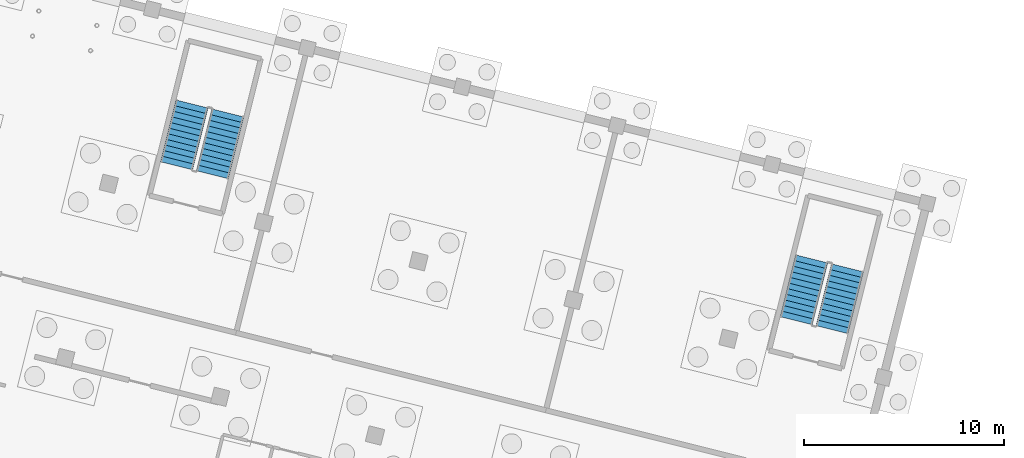
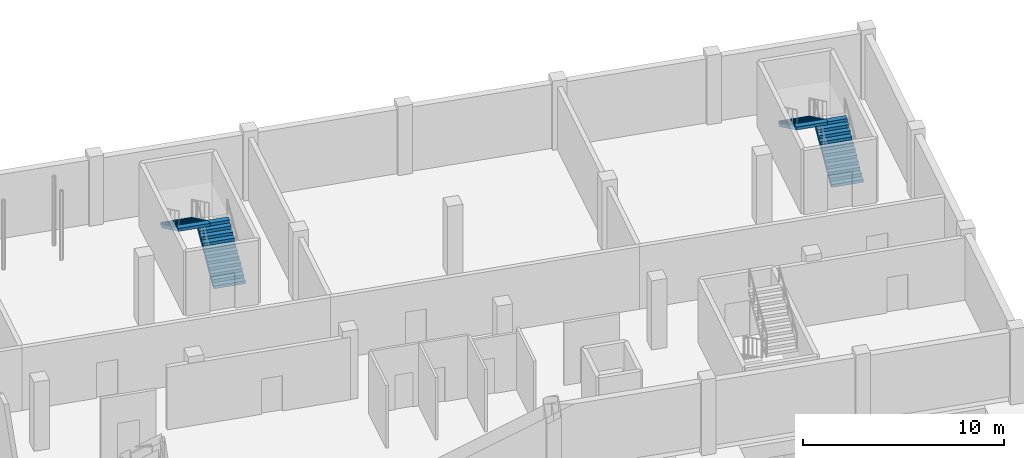
# One storey, part 27 of 36: 4 stair flights, 2 elements without a shape of their own.
"""IFC4 building model written with IfcOpenShell, lengths in metres."""

from ifc_helpers import new_model, si_unit, derived_unit, direction, frame, origin, place, context, subcontext, project, spatial, polyline, outline, extrude, material, type_object, element, aggregate, save


model = new_model("IFC4")

# Units and contexts
model_context = context("Model", 3, precision=1e-05, world=origin(), true_north=direction((0.0, 1.0)))
body_context = subcontext(model_context, "Body", "Model", "MODEL_VIEW")
ifc_project = project(units=[si_unit("LENGTHUNIT", "METRE"), si_unit("AREAUNIT", "SQUARE_METRE"), si_unit("VOLUMEUNIT", "CUBIC_METRE"), si_unit("PLANEANGLEUNIT", "RADIAN"), si_unit("MASSUNIT", "GRAM", prefix="KILO"), si_unit("THERMODYNAMICTEMPERATUREUNIT", "KELVIN"), si_unit("TIMEUNIT", "SECOND"), derived_unit("THERMALTRANSMITTANCEUNIT", [(si_unit("MASSUNIT", "GRAM", prefix="KILO"), 1), (si_unit("THERMODYNAMICTEMPERATUREUNIT", "KELVIN"), -1), (si_unit("TIMEUNIT", "SECOND"), -3)])], contexts=[model_context])

# Site, building, storey
site_placement = place(None, origin())
site = spatial("IfcSite", under=ifc_project, at=site_placement, CompositionType="ELEMENT")
building_placement = place(site_placement, origin())
building = spatial("IfcBuilding", under=site, at=building_placement, Name="Cambertide Market Hall", CompositionType="ELEMENT")
storey_placement = place(building_placement, frame((0.0, 0.0, -4.199951171875)))
storey = spatial("IfcBuildingStorey", under=building, at=storey_placement, Name="B1", CompositionType="ELEMENT", Elevation=-4.199951171875)

# Stair, stair flights
ifc_material_1 = material(Name="Concrete B35", Category="concrete")
stair_type_1 = type_object("IfcStairType", Name="Concrete Dogleg Stair ST-07B", PredefinedType="HALF_TURN_STAIR", material=ifc_material_1)
stair_1_placement = place(storey_placement, origin())
stair_1 = element("IfcStair", 1, at=stair_1_placement, inside=storey, type_object=stair_type_1, Name="Basement 1 Exit Stair Core 07B", PredefinedType="HALF_TURN_STAIR")
ifc_material_2 = material(Name="Concrete B35", Category="concrete")
stair_flight_type_1 = type_object("IfcStairFlightType", Name="Concrete Stair Flight ST-07B", PredefinedType="STRAIGHT", material=ifc_material_2)
stair_flight_1_placement = place(storey_placement, frame((140.83935546875, 112.096435546875, 0.0), z_axis=(0.0, 0.0, 1.0), x_axis=(0.242535617113, 0.970142502126, 0.0)))
stair_flight_1 = element("IfcStairFlight", 2, at=stair_flight_1_placement, type_object=stair_flight_type_1, Name="ST-07B flight 1", NumberOfRisers=12, NumberOfTreads=11, PredefinedType="STRAIGHT", RiserHeight=0.175, TreadLength=0.29, context=body_context, shape_type="SweptSolid", body=[
    extrude(outline(polyline([(0.0, 0.0), (0.0, 0.175048828125), (0.2900390625, 0.175048828125), (0.2900390625, 0.35009765625), (0.580078125, 0.35009765625), (0.580078125, 0.52490234375), (0.8701171875, 0.52490234375), (0.8701171875, 0.699951171875), (1.159912109375, 0.699951171875), (1.159912109375, 0.875), (1.449951171875, 0.875), (1.449951171875, 1.050048828125), (1.739990234375, 1.050048828125), (1.739990234375, 1.22509765625), (2.030029296875, 1.22509765625), (2.030029296875, 1.39990234375), (2.320068359375, 1.39990234375), (2.320068359375, 1.574951171875), (2.610107421875, 1.574951171875), (2.610107421875, 1.75), (2.89990234375, 1.75), (2.89990234375, 1.925048828125), (3.18994140625, 1.925048828125), (3.18994140625, 2.10009765625), (3.18994140625, 1.75), (0.2900390625, 0.0), (0.0, 0.0)])), frame((0.0, 0.824951171875, 0.0), z_axis=(0.0, -1.0, 0.0), x_axis=(1.0, 0.0, 0.0)), (0.0, 0.0, 1.0), 1.64990234375),
])
stair_flight_2_placement = place(storey_placement, frame((139.818359375, 115.639892578125, 2.099853515625), z_axis=(0.0, 0.0, 1.0), x_axis=(-0.242535617113, -0.970142502126, 0.0)))
stair_flight_2 = element("IfcStairFlight", 3, at=stair_flight_2_placement, type_object=stair_flight_type_1, Name="ST-07B flight 2", NumberOfRisers=12, NumberOfTreads=11, PredefinedType="STRAIGHT", RiserHeight=0.175, TreadLength=0.29, context=body_context, shape_type="SweptSolid", body=[
    extrude(outline(polyline([(0.0, 0.0), (0.0, 0.175048828125), (0.2900390625, 0.175048828125), (0.2900390625, 0.35009765625), (0.580078125, 0.35009765625), (0.580078125, 0.52490234375), (0.8701171875, 0.52490234375), (0.8701171875, 0.699951171875), (1.159912109375, 0.699951171875), (1.159912109375, 0.875), (1.449951171875, 0.875), (1.449951171875, 1.050048828125), (1.739990234375, 1.050048828125), (1.739990234375, 1.22509765625), (2.030029296875, 1.22509765625), (2.030029296875, 1.39990234375), (2.320068359375, 1.39990234375), (2.320068359375, 1.574951171875), (2.610107421875, 1.574951171875), (2.610107421875, 1.75), (2.89990234375, 1.75), (2.89990234375, 1.925048828125), (3.18994140625, 1.925048828125), (3.18994140625, 2.10009765625), (3.18994140625, 1.75), (0.2900390625, 0.0), (0.0, 0.0)])), frame((0.0, 0.824951171875, 0.0), z_axis=(0.0, -1.0, 0.0), x_axis=(1.0, 0.0, 0.0)), (0.0, 0.0, 1.0), 1.64990234375),
])
aggregate(stair_1, [stair_flight_1, stair_flight_2])

ifc_material_3 = material(Name="Concrete B35", Category="concrete")
stair_type_2 = type_object("IfcStairType", Name="Concrete Dogleg Stair ST-08B", PredefinedType="HALF_TURN_STAIR", material=ifc_material_3)
stair_2_placement = place(storey_placement, origin())
stair_2 = element("IfcStair", 4, at=stair_2_placement, inside=storey, type_object=stair_type_2, Name="Basement 1 Exit Stair Core 08B", PredefinedType="HALF_TURN_STAIR")
ifc_material_4 = material(Name="Concrete B35", Category="concrete")
stair_flight_type_2 = type_object("IfcStairFlightType", Name="Concrete Stair Flight ST-08B", PredefinedType="STRAIGHT", material=ifc_material_4)
stair_flight_3_placement = place(storey_placement, frame((171.8837890625, 104.335205078125, 0.0), z_axis=(0.0, 0.0, 1.0), x_axis=(0.242535617113, 0.970142502126, 0.0)))
stair_flight_3 = element("IfcStairFlight", 5, at=stair_flight_3_placement, type_object=stair_flight_type_2, Name="ST-08B flight 1", NumberOfRisers=12, NumberOfTreads=11, PredefinedType="STRAIGHT", RiserHeight=0.175, TreadLength=0.29, context=body_context, shape_type="SweptSolid", body=[
    extrude(outline(polyline([(0.0, 0.0), (0.0, 0.175048828125), (0.2900390625, 0.175048828125), (0.2900390625, 0.35009765625), (0.580078125, 0.35009765625), (0.580078125, 0.52490234375), (0.8701171875, 0.52490234375), (0.8701171875, 0.699951171875), (1.159912109375, 0.699951171875), (1.159912109375, 0.875), (1.449951171875, 0.875), (1.449951171875, 1.050048828125), (1.739990234375, 1.050048828125), (1.739990234375, 1.22509765625), (2.030029296875, 1.22509765625), (2.030029296875, 1.39990234375), (2.320068359375, 1.39990234375), (2.320068359375, 1.574951171875), (2.610107421875, 1.574951171875), (2.610107421875, 1.75), (2.89990234375, 1.75), (2.89990234375, 1.925048828125), (3.18994140625, 1.925048828125), (3.18994140625, 2.10009765625), (3.18994140625, 1.75), (0.2900390625, 0.0), (0.0, 0.0)])), frame((0.0, 0.824951171875, 0.0), z_axis=(0.0, -1.0, 0.0), x_axis=(1.0, 0.0, 0.0)), (0.0, 0.0, 1.0), 1.64990234375),
])
stair_flight_4_placement = place(storey_placement, frame((170.86279296875, 107.878662109375, 2.099853515625), z_axis=(0.0, 0.0, 1.0), x_axis=(-0.242535617113, -0.970142502126, 0.0)))
stair_flight_4 = element("IfcStairFlight", 6, at=stair_flight_4_placement, type_object=stair_flight_type_2, Name="ST-08B flight 2", NumberOfRisers=12, NumberOfTreads=11, PredefinedType="STRAIGHT", RiserHeight=0.175, TreadLength=0.29, context=body_context, shape_type="SweptSolid", body=[
    extrude(outline(polyline([(0.0, 0.0), (0.0, 0.175048828125), (0.2900390625, 0.175048828125), (0.2900390625, 0.35009765625), (0.580078125, 0.35009765625), (0.580078125, 0.52490234375), (0.8701171875, 0.52490234375), (0.8701171875, 0.699951171875), (1.159912109375, 0.699951171875), (1.159912109375, 0.875), (1.449951171875, 0.875), (1.449951171875, 1.050048828125), (1.739990234375, 1.050048828125), (1.739990234375, 1.22509765625), (2.030029296875, 1.22509765625), (2.030029296875, 1.39990234375), (2.320068359375, 1.39990234375), (2.320068359375, 1.574951171875), (2.610107421875, 1.574951171875), (2.610107421875, 1.75), (2.89990234375, 1.75), (2.89990234375, 1.925048828125), (3.18994140625, 1.925048828125), (3.18994140625, 2.10009765625), (3.18994140625, 1.75), (0.2900390625, 0.0), (0.0, 0.0)])), frame((0.0, 0.824951171875, 0.0), z_axis=(0.0, -1.0, 0.0), x_axis=(1.0, 0.0, 0.0)), (0.0, 0.0, 1.0), 1.64990234375),
])
aggregate(stair_2, [stair_flight_3, stair_flight_4])

save(model, "model.ifc")
